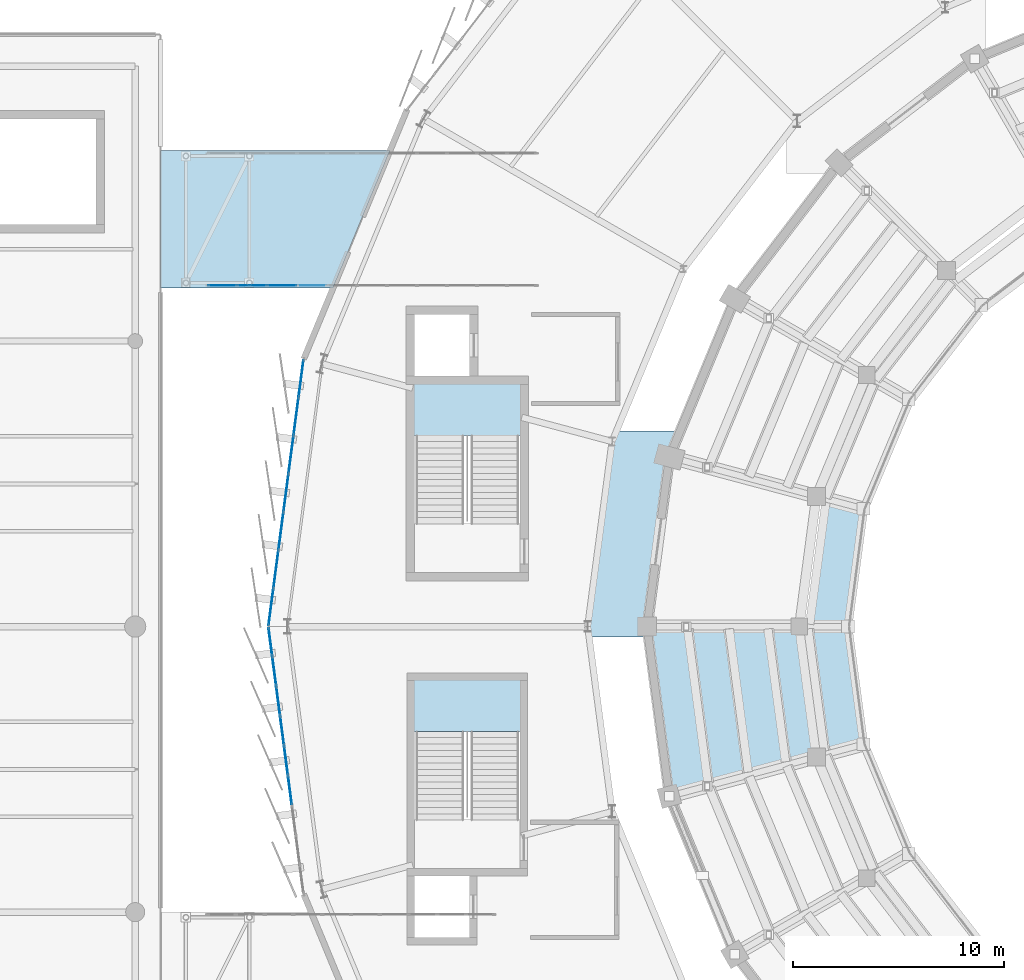
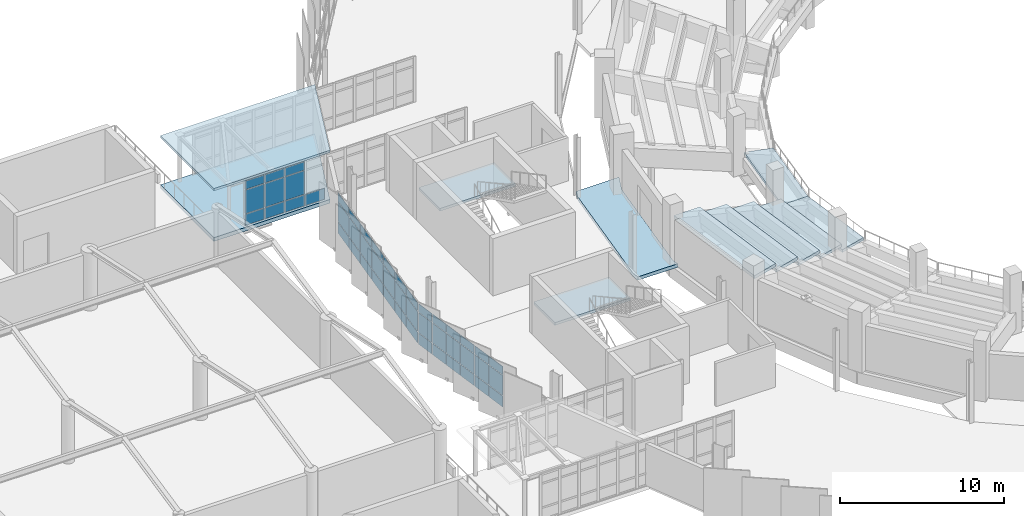
# One storey, part 82 of 120: 49 plates, 11 slabs, 5 elements without a shape of their own.
"""IFC4 building model written with IfcOpenShell, lengths in metres."""

from ifc_helpers import new_model, si_unit, direction, frame, origin, origin_2d, place, context, subcontext, project, spatial, polyline, rectangle, outline, extrude, material, layer, layer_set, type_object, element, aggregate, save


model = new_model("IFC4")

# Units and contexts
model_context = context("Model", 3, precision=1e-05, world=origin(), true_north=direction((0.0, 1.0)))
body_context = subcontext(model_context, "Body", "Model", "MODEL_VIEW")
ifc_project = project(units=[si_unit("LENGTHUNIT", "METRE"), si_unit("AREAUNIT", "SQUARE_METRE"), si_unit("VOLUMEUNIT", "CUBIC_METRE"), si_unit("PLANEANGLEUNIT", "RADIAN"), si_unit("MASSUNIT", "GRAM", prefix="KILO")], contexts=[model_context])

# Site, building, storey
site_placement = place(None, origin())
site = spatial("IfcSite", under=ifc_project, at=site_placement, CompositionType="ELEMENT")
building_placement = place(site_placement, origin())
building = spatial("IfcBuilding", under=site, at=building_placement, Name="Sohan Crest Arena", CompositionType="ELEMENT")
storey_placement = place(building_placement, frame((0.0, 0.0, 13.5)))
storey = spatial("IfcBuildingStorey", under=building, at=storey_placement, Name="L03", CompositionType="ELEMENT", Elevation=13.5)

# Curtain wall, plates
ifc_material_1 = material(Name="Thermally broken anodised aluminium", Category="aluminium")
ifc_layer_1 = layer(ifc_material_1, 0.18994140625, Name="Thermally broken anodised aluminium")
ifc_layer_set_1 = layer_set([ifc_layer_1], Name="Thermally broken anodised aluminium")
curtain_wall_type_1 = type_object("IfcCurtainWallType", Name="ARC-CW05", PredefinedType="NOTDEFINED", material=ifc_layer_set_1)
curtain_wall_1_placement = place(storey_placement, origin())
curtain_wall_1 = element("IfcCurtainWall", 1, at=curtain_wall_1_placement, inside=storey, type_object=curtain_wall_type_1, Name="Unitised curtain wall CW-237", PredefinedType="NOTDEFINED")
ifc_material_2 = material(Name="Low-E double-glazed insulated glass", Category="glass")
ifc_layer_2 = layer(ifc_material_2, 0.028076171875, Name="Low-E double-glazed insulated glass")
ifc_layer_set_2 = layer_set([ifc_layer_2], Name="Low-E double-glazed insulated glass")
plate_type_1 = type_object("IfcPlateType", Name="ARC-CNP01", PredefinedType="CURTAIN_PANEL", material=ifc_layer_set_2)
plate_1_placement = place(storey_placement, frame((46.92529296875, 94.1201171875, 0.06005859375), z_axis=(0.0, 0.0, 1.0), x_axis=(1.0, 0.0, 0.0)))
plate_1 = element("IfcPlate", 2, at=plate_1_placement, type_object=plate_type_1, Name="CW-237 panel 1.1", PredefinedType="CURTAIN_PANEL", context=body_context, shape_type="SweptSolid", body=[
    extrude(rectangle(XDim=1.32080078125, YDim=0.028076171875, at=origin_2d()), origin(), (0.0, 0.0, 1.0), 0.81005859375),
])
plate_2_placement = place(storey_placement, frame((46.92529296875, 94.1201171875, 0.93017578125), z_axis=(0.0, 0.0, 1.0), x_axis=(1.0, 0.0, 0.0)))
plate_2 = element("IfcPlate", 3, at=plate_2_placement, type_object=plate_type_1, Name="CW-237 panel 1.2", PredefinedType="CURTAIN_PANEL", context=body_context, shape_type="SweptSolid", body=[
    extrude(rectangle(XDim=1.32080078125, YDim=0.028076171875, at=origin_2d()), origin(), (0.0, 0.0, 1.0), 1.739990234375),
])
plate_3_placement = place(storey_placement, frame((46.92529296875, 94.1201171875, 2.72998046875), z_axis=(0.0, 0.0, 1.0), x_axis=(1.0, 0.0, 0.0)))
plate_3 = element("IfcPlate", 4, at=plate_3_placement, type_object=plate_type_1, Name="CW-237 panel 1.3", PredefinedType="CURTAIN_PANEL", context=body_context, shape_type="SweptSolid", body=[
    extrude(rectangle(XDim=1.32080078125, YDim=0.028076171875, at=origin_2d()), origin(), (0.0, 0.0, 1.0), 0.610107421875),
])
plate_4_placement = place(storey_placement, frame((48.327392578125, 94.1201171875, 0.06005859375), z_axis=(0.0, 0.0, 1.0), x_axis=(1.0, 0.0, 0.0)))
plate_4 = element("IfcPlate", 5, at=plate_4_placement, type_object=plate_type_1, Name="CW-237 panel 2.1", PredefinedType="CURTAIN_PANEL", context=body_context, shape_type="SweptSolid", body=[
    extrude(rectangle(XDim=1.353271484375, YDim=0.028076171875, at=origin_2d()), origin(), (0.0, 0.0, 1.0), 0.81005859375),
])
plate_5_placement = place(storey_placement, frame((48.327392578125, 94.1201171875, 0.93017578125), z_axis=(0.0, 0.0, 1.0), x_axis=(1.0, 0.0, 0.0)))
plate_5 = element("IfcPlate", 6, at=plate_5_placement, type_object=plate_type_1, Name="CW-237 panel 2.2", PredefinedType="CURTAIN_PANEL", context=body_context, shape_type="SweptSolid", body=[
    extrude(rectangle(XDim=1.353271484375, YDim=0.028076171875, at=origin_2d()), origin(), (0.0, 0.0, 1.0), 1.739990234375),
])
plate_6_placement = place(storey_placement, frame((48.327392578125, 94.1201171875, 2.72998046875), z_axis=(0.0, 0.0, 1.0), x_axis=(1.0, 0.0, 0.0)))
plate_6 = element("IfcPlate", 7, at=plate_6_placement, type_object=plate_type_1, Name="CW-237 panel 2.3", PredefinedType="CURTAIN_PANEL", context=body_context, shape_type="SweptSolid", body=[
    extrude(rectangle(XDim=1.353271484375, YDim=0.028076171875, at=origin_2d()), origin(), (0.0, 0.0, 1.0), 0.610107421875),
])
plate_7_placement = place(storey_placement, frame((49.745361328125, 94.1201171875, 0.06005859375), z_axis=(0.0, 0.0, 1.0), x_axis=(1.0, 0.0, 0.0)))
plate_7 = element("IfcPlate", 8, at=plate_7_placement, type_object=plate_type_1, Name="CW-237 panel 3.1", PredefinedType="CURTAIN_PANEL", context=body_context, shape_type="SweptSolid", body=[
    extrude(rectangle(XDim=1.353271484375, YDim=0.028076171875, at=origin_2d()), origin(), (0.0, 0.0, 1.0), 0.81005859375),
])
plate_8_placement = place(storey_placement, frame((49.745361328125, 94.1201171875, 0.93017578125), z_axis=(0.0, 0.0, 1.0), x_axis=(1.0, 0.0, 0.0)))
plate_8 = element("IfcPlate", 9, at=plate_8_placement, type_object=plate_type_1, Name="CW-237 panel 3.2", PredefinedType="CURTAIN_PANEL", context=body_context, shape_type="SweptSolid", body=[
    extrude(rectangle(XDim=1.353271484375, YDim=0.028076171875, at=origin_2d()), origin(), (0.0, 0.0, 1.0), 1.739990234375),
])
plate_9_placement = place(storey_placement, frame((49.745361328125, 94.1201171875, 2.72998046875), z_axis=(0.0, 0.0, 1.0), x_axis=(1.0, 0.0, 0.0)))
plate_9 = element("IfcPlate", 10, at=plate_9_placement, type_object=plate_type_1, Name="CW-237 panel 3.3", PredefinedType="CURTAIN_PANEL", context=body_context, shape_type="SweptSolid", body=[
    extrude(rectangle(XDim=1.353271484375, YDim=0.028076171875, at=origin_2d()), origin(), (0.0, 0.0, 1.0), 0.610107421875),
])
plate_10_placement = place(storey_placement, frame((51.16357421875, 94.1201171875, 0.06005859375), z_axis=(0.0, 0.0, 1.0), x_axis=(1.0, 0.0, 0.0)))
plate_10 = element("IfcPlate", 11, at=plate_10_placement, type_object=plate_type_1, Name="CW-237 panel 4.1", PredefinedType="CURTAIN_PANEL", context=body_context, shape_type="SweptSolid", body=[
    extrude(rectangle(XDim=1.353271484375, YDim=0.028076171875, at=origin_2d()), origin(), (0.0, 0.0, 1.0), 0.81005859375),
])
aggregate(curtain_wall_1, [plate_1, plate_2, plate_3, plate_4, plate_5, plate_6, plate_7, plate_8, plate_9, plate_10])

ifc_layer_3 = layer(ifc_material_1, 0.2099609375, Name="Thermally broken anodised aluminium")
ifc_layer_set_3 = layer_set([ifc_layer_3], Name="Thermally broken anodised aluminium")
curtain_wall_type_2 = type_object("IfcCurtainWallType", Name="ARC-CW06", PredefinedType="NOTDEFINED", material=ifc_layer_set_3)
curtain_wall_2_placement = place(storey_placement, origin())
curtain_wall_2 = element("IfcCurtainWall", 12, at=curtain_wall_2_placement, inside=storey, type_object=curtain_wall_type_2, Name="Unitised curtain wall CW-084", PredefinedType="NOTDEFINED")
ifc_layer_4 = layer(ifc_material_2, 0.031982421875, Name="Low-E double-glazed insulated glass")
ifc_layer_set_4 = layer_set([ifc_layer_4], Name="Low-E double-glazed insulated glass")
plate_type_2 = type_object("IfcPlateType", Name="ARC-CNP02", PredefinedType="CURTAIN_PANEL", material=ifc_layer_set_4)
plate_11_placement = place(storey_placement, frame((50.644775390625, 89.73583984375, 0.070068359375), z_axis=(0.0, 0.0, 1.0), x_axis=(-0.130511252817, -0.991446828069, 0.0)))
plate_11 = element("IfcPlate", 13, at=plate_11_placement, type_object=plate_type_2, Name="CW-084 panel 1.1", PredefinedType="CURTAIN_PANEL", context=body_context, shape_type="SweptSolid", body=[
    extrude(rectangle(XDim=1.72607421875, YDim=0.031982421875, at=origin_2d()), origin(), (0.0, 0.0, 1.0), 0.794921875),
])
plate_12_placement = place(storey_placement, frame((50.644775390625, 89.73583984375, 0.93505859375), z_axis=(0.0, 0.0, 1.0), x_axis=(-0.130511252817, -0.991446828069, 0.0)))
plate_12 = element("IfcPlate", 14, at=plate_12_placement, type_object=plate_type_2, Name="CW-084 panel 1.2", PredefinedType="CURTAIN_PANEL", context=body_context, shape_type="SweptSolid", body=[
    extrude(rectangle(XDim=1.72607421875, YDim=0.031982421875, at=origin_2d()), origin(), (0.0, 0.0, 1.0), 1.449951171875),
])
plate_13_placement = place(storey_placement, frame((50.644775390625, 89.73583984375, 2.455078125), z_axis=(0.0, 0.0, 1.0), x_axis=(-0.130511252817, -0.991446828069, 0.0)))
plate_13 = element("IfcPlate", 15, at=plate_13_placement, type_object=plate_type_2, Name="CW-084 panel 1.3", PredefinedType="CURTAIN_PANEL", context=body_context, shape_type="SweptSolid", body=[
    extrude(rectangle(XDim=1.72607421875, YDim=0.031982421875, at=origin_2d()), origin(), (0.0, 0.0, 1.0), 0.594970703125),
])
plate_14_placement = place(storey_placement, frame((50.408935546875, 87.944091796875, 0.070068359375), z_axis=(0.0, 0.0, 1.0), x_axis=(-0.130511252817, -0.991446828069, 0.0)))
plate_14 = element("IfcPlate", 16, at=plate_14_placement, type_object=plate_type_2, Name="CW-084 panel 2.1", PredefinedType="CURTAIN_PANEL", context=body_context, shape_type="SweptSolid", body=[
    extrude(rectangle(XDim=1.758544921875, YDim=0.031982421875, at=origin_2d()), origin(), (0.0, 0.0, 1.0), 0.794921875),
])
plate_15_placement = place(storey_placement, frame((50.408935546875, 87.944091796875, 0.93505859375), z_axis=(0.0, 0.0, 1.0), x_axis=(-0.130511252817, -0.991446828069, 0.0)))
plate_15 = element("IfcPlate", 17, at=plate_15_placement, type_object=plate_type_2, Name="CW-084 panel 2.2", PredefinedType="CURTAIN_PANEL", context=body_context, shape_type="SweptSolid", body=[
    extrude(rectangle(XDim=1.758544921875, YDim=0.031982421875, at=origin_2d()), origin(), (0.0, 0.0, 1.0), 1.449951171875),
])
plate_16_placement = place(storey_placement, frame((50.408935546875, 87.944091796875, 2.455078125), z_axis=(0.0, 0.0, 1.0), x_axis=(-0.130511252817, -0.991446828069, 0.0)))
plate_16 = element("IfcPlate", 18, at=plate_16_placement, type_object=plate_type_2, Name="CW-084 panel 2.3", PredefinedType="CURTAIN_PANEL", context=body_context, shape_type="SweptSolid", body=[
    extrude(rectangle(XDim=1.758544921875, YDim=0.031982421875, at=origin_2d()), origin(), (0.0, 0.0, 1.0), 0.594970703125),
])
plate_17_placement = place(storey_placement, frame((50.1708984375, 86.135986328125, 0.070068359375), z_axis=(0.0, 0.0, 1.0), x_axis=(-0.130511252817, -0.991446828069, 0.0)))
plate_17 = element("IfcPlate", 19, at=plate_17_placement, type_object=plate_type_2, Name="CW-084 panel 3.1", PredefinedType="CURTAIN_PANEL", context=body_context, shape_type="SweptSolid", body=[
    extrude(rectangle(XDim=1.758544921875, YDim=0.031982421875, at=origin_2d()), origin(), (0.0, 0.0, 1.0), 0.794921875),
])
plate_18_placement = place(storey_placement, frame((50.1708984375, 86.135986328125, 0.93505859375), z_axis=(0.0, 0.0, 1.0), x_axis=(-0.130511252817, -0.991446828069, 0.0)))
plate_18 = element("IfcPlate", 20, at=plate_18_placement, type_object=plate_type_2, Name="CW-084 panel 3.2", PredefinedType="CURTAIN_PANEL", context=body_context, shape_type="SweptSolid", body=[
    extrude(rectangle(XDim=1.758544921875, YDim=0.031982421875, at=origin_2d()), origin(), (0.0, 0.0, 1.0), 1.449951171875),
])
plate_19_placement = place(storey_placement, frame((50.1708984375, 86.135986328125, 2.455078125), z_axis=(0.0, 0.0, 1.0), x_axis=(-0.130511252817, -0.991446828069, 0.0)))
plate_19 = element("IfcPlate", 21, at=plate_19_placement, type_object=plate_type_2, Name="CW-084 panel 3.3", PredefinedType="CURTAIN_PANEL", context=body_context, shape_type="SweptSolid", body=[
    extrude(rectangle(XDim=1.758544921875, YDim=0.031982421875, at=origin_2d()), origin(), (0.0, 0.0, 1.0), 0.594970703125),
])
plate_20_placement = place(storey_placement, frame((49.93310546875, 84.327880859375, 0.070068359375), z_axis=(0.0, 0.0, 1.0), x_axis=(-0.130511252817, -0.991446828069, 0.0)))
plate_20 = element("IfcPlate", 22, at=plate_20_placement, type_object=plate_type_2, Name="CW-084 panel 4.1", PredefinedType="CURTAIN_PANEL", context=body_context, shape_type="SweptSolid", body=[
    extrude(rectangle(XDim=1.758544921875, YDim=0.031982421875, at=origin_2d()), origin(), (0.0, 0.0, 1.0), 0.794921875),
])
plate_21_placement = place(storey_placement, frame((49.93310546875, 84.327880859375, 0.93505859375), z_axis=(0.0, 0.0, 1.0), x_axis=(-0.130511252817, -0.991446828069, 0.0)))
plate_21 = element("IfcPlate", 23, at=plate_21_placement, type_object=plate_type_2, Name="CW-084 panel 4.2", PredefinedType="CURTAIN_PANEL", context=body_context, shape_type="SweptSolid", body=[
    extrude(rectangle(XDim=1.758544921875, YDim=0.031982421875, at=origin_2d()), origin(), (0.0, 0.0, 1.0), 1.449951171875),
])
plate_22_placement = place(storey_placement, frame((49.93310546875, 84.327880859375, 2.455078125), z_axis=(0.0, 0.0, 1.0), x_axis=(-0.130511252817, -0.991446828069, 0.0)))
plate_22 = element("IfcPlate", 24, at=plate_22_placement, type_object=plate_type_2, Name="CW-084 panel 4.3", PredefinedType="CURTAIN_PANEL", context=body_context, shape_type="SweptSolid", body=[
    extrude(rectangle(XDim=1.758544921875, YDim=0.031982421875, at=origin_2d()), origin(), (0.0, 0.0, 1.0), 0.594970703125),
])
plate_23_placement = place(storey_placement, frame((49.695068359375, 82.52001953125, 0.070068359375), z_axis=(0.0, 0.0, 1.0), x_axis=(-0.130511252817, -0.991446828069, 0.0)))
plate_23 = element("IfcPlate", 25, at=plate_23_placement, type_object=plate_type_2, Name="CW-084 panel 5.1", PredefinedType="CURTAIN_PANEL", context=body_context, shape_type="SweptSolid", body=[
    extrude(rectangle(XDim=1.758544921875, YDim=0.031982421875, at=origin_2d()), origin(), (0.0, 0.0, 1.0), 0.794921875),
])
plate_24_placement = place(storey_placement, frame((49.695068359375, 82.52001953125, 0.93505859375), z_axis=(0.0, 0.0, 1.0), x_axis=(-0.130511252817, -0.991446828069, 0.0)))
plate_24 = element("IfcPlate", 26, at=plate_24_placement, type_object=plate_type_2, Name="CW-084 panel 5.2", PredefinedType="CURTAIN_PANEL", context=body_context, shape_type="SweptSolid", body=[
    extrude(rectangle(XDim=1.758544921875, YDim=0.031982421875, at=origin_2d()), origin(), (0.0, 0.0, 1.0), 1.449951171875),
])
plate_25_placement = place(storey_placement, frame((49.695068359375, 82.52001953125, 2.455078125), z_axis=(0.0, 0.0, 1.0), x_axis=(-0.130511252817, -0.991446828069, 0.0)))
plate_25 = element("IfcPlate", 27, at=plate_25_placement, type_object=plate_type_2, Name="CW-084 panel 5.3", PredefinedType="CURTAIN_PANEL", context=body_context, shape_type="SweptSolid", body=[
    extrude(rectangle(XDim=1.758544921875, YDim=0.031982421875, at=origin_2d()), origin(), (0.0, 0.0, 1.0), 0.594970703125),
])
plate_26_placement = place(storey_placement, frame((49.45703125, 80.7119140625, 0.070068359375), z_axis=(0.0, 0.0, 1.0), x_axis=(-0.130511252817, -0.991446828069, 0.0)))
plate_26 = element("IfcPlate", 28, at=plate_26_placement, type_object=plate_type_2, Name="CW-084 panel 6.1", PredefinedType="CURTAIN_PANEL", context=body_context, shape_type="SweptSolid", body=[
    extrude(rectangle(XDim=1.758544921875, YDim=0.031982421875, at=origin_2d()), origin(), (0.0, 0.0, 1.0), 0.794921875),
])
plate_27_placement = place(storey_placement, frame((49.45703125, 80.7119140625, 0.93505859375), z_axis=(0.0, 0.0, 1.0), x_axis=(-0.130511252817, -0.991446828069, 0.0)))
plate_27 = element("IfcPlate", 29, at=plate_27_placement, type_object=plate_type_2, Name="CW-084 panel 6.2", PredefinedType="CURTAIN_PANEL", context=body_context, shape_type="SweptSolid", body=[
    extrude(rectangle(XDim=1.758544921875, YDim=0.031982421875, at=origin_2d()), origin(), (0.0, 0.0, 1.0), 1.449951171875),
])
plate_28_placement = place(storey_placement, frame((49.45703125, 80.7119140625, 2.455078125), z_axis=(0.0, 0.0, 1.0), x_axis=(-0.130511252817, -0.991446828069, 0.0)))
plate_28 = element("IfcPlate", 30, at=plate_28_placement, type_object=plate_type_2, Name="CW-084 panel 6.3", PredefinedType="CURTAIN_PANEL", context=body_context, shape_type="SweptSolid", body=[
    extrude(rectangle(XDim=1.758544921875, YDim=0.031982421875, at=origin_2d()), origin(), (0.0, 0.0, 1.0), 0.594970703125),
])
plate_29_placement = place(storey_placement, frame((49.22119140625, 78.920166015625, 0.070068359375), z_axis=(0.0, 0.0, 1.0), x_axis=(-0.130511252817, -0.991446828069, 0.0)))
plate_29 = element("IfcPlate", 31, at=plate_29_placement, type_object=plate_type_2, Name="CW-084 panel 7.1", PredefinedType="CURTAIN_PANEL", context=body_context, shape_type="SweptSolid", body=[
    extrude(rectangle(XDim=1.72607421875, YDim=0.031982421875, at=origin_2d()), origin(), (0.0, 0.0, 1.0), 0.794921875),
])
plate_30_placement = place(storey_placement, frame((49.22119140625, 78.920166015625, 0.93505859375), z_axis=(0.0, 0.0, 1.0), x_axis=(-0.130511252817, -0.991446828069, 0.0)))
plate_30 = element("IfcPlate", 32, at=plate_30_placement, type_object=plate_type_2, Name="CW-084 panel 7.2", PredefinedType="CURTAIN_PANEL", context=body_context, shape_type="SweptSolid", body=[
    extrude(rectangle(XDim=1.72607421875, YDim=0.031982421875, at=origin_2d()), origin(), (0.0, 0.0, 1.0), 1.449951171875),
])
plate_31_placement = place(storey_placement, frame((49.22119140625, 78.920166015625, 2.455078125), z_axis=(0.0, 0.0, 1.0), x_axis=(-0.130511252817, -0.991446828069, 0.0)))
plate_31 = element("IfcPlate", 33, at=plate_31_placement, type_object=plate_type_2, Name="CW-084 panel 7.3", PredefinedType="CURTAIN_PANEL", context=body_context, shape_type="SweptSolid", body=[
    extrude(rectangle(XDim=1.72607421875, YDim=0.031982421875, at=origin_2d()), origin(), (0.0, 0.0, 1.0), 0.594970703125),
])
aggregate(curtain_wall_2, [plate_11, plate_12, plate_13, plate_14, plate_15, plate_16, plate_17, plate_18, plate_19, plate_20, plate_21, plate_22, plate_23, plate_24, plate_25, plate_26, plate_27, plate_28, plate_29, plate_30, plate_31])

ifc_layer_5 = layer(ifc_material_1, 0.179931640625, Name="Thermally broken anodised aluminium")
ifc_layer_set_5 = layer_set([ifc_layer_5], Name="Thermally broken anodised aluminium")
curtain_wall_type_3 = type_object("IfcCurtainWallType", Name="ARC-CW01", PredefinedType="NOTDEFINED", material=ifc_layer_set_5)
curtain_wall_3_placement = place(storey_placement, origin())
curtain_wall_3 = element("IfcCurtainWall", 34, at=curtain_wall_3_placement, inside=storey, type_object=curtain_wall_type_3, Name="Unitised curtain wall CW-085", PredefinedType="NOTDEFINED")
ifc_material_3 = material(Name="Ceramic-fritted solar-control insulated glass", Category="glass")
ifc_layer_6 = layer(ifc_material_3, 0.035888671875, Name="Ceramic-fritted solar-control insulated glass")
ifc_layer_set_6 = layer_set([ifc_layer_6], Name="Ceramic-fritted solar-control insulated glass")
plate_type_3 = type_object("IfcPlateType", Name="ARC-CNP03", PredefinedType="CURTAIN_PANEL", material=ifc_layer_set_6)
plate_32_placement = place(storey_placement, frame((49.19482421875, 77.279541015625, 0.06005859375), z_axis=(0.0, 0.0, 1.0), x_axis=(0.130511252817, -0.991446828069, 0.0)))
plate_32 = element("IfcPlate", 35, at=plate_32_placement, type_object=plate_type_3, Name="CW-085 panel 1.1", PredefinedType="CURTAIN_PANEL", context=body_context, shape_type="SweptSolid", body=[
    extrude(rectangle(XDim=1.313232421875, YDim=0.035888671875, at=origin_2d()), origin(), (0.0, 0.0, 1.0), 0.81005859375),
])
plate_33_placement = place(storey_placement, frame((49.19482421875, 77.279541015625, 0.929931640625), z_axis=(0.0, 0.0, 1.0), x_axis=(0.130511252817, -0.991446828069, 0.0)))
plate_33 = element("IfcPlate", 36, at=plate_33_placement, type_object=plate_type_3, Name="CW-085 panel 1.2", PredefinedType="CURTAIN_PANEL", context=body_context, shape_type="SweptSolid", body=[
    extrude(rectangle(XDim=1.313232421875, YDim=0.035888671875, at=origin_2d()), origin(), (0.0, 0.0, 1.0), 1.4599609375),
])
plate_34_placement = place(storey_placement, frame((49.19482421875, 77.279541015625, 2.44970703125), z_axis=(0.0, 0.0, 1.0), x_axis=(0.130511252817, -0.991446828069, 0.0)))
plate_34 = element("IfcPlate", 37, at=plate_34_placement, type_object=plate_type_3, Name="CW-085 panel 1.3", PredefinedType="CURTAIN_PANEL", context=body_context, shape_type="SweptSolid", body=[
    extrude(rectangle(XDim=1.313232421875, YDim=0.035888671875, at=origin_2d()), origin(), (0.0, 0.0, 1.0), 0.610107421875),
])
plate_35_placement = place(storey_placement, frame((49.377685546875, 75.890625, 0.06005859375), z_axis=(0.0, 0.0, 1.0), x_axis=(0.130511252817, -0.991446828069, 0.0)))
plate_35 = element("IfcPlate", 38, at=plate_35_placement, type_object=plate_type_3, Name="CW-085 panel 2.1", PredefinedType="CURTAIN_PANEL", context=body_context, shape_type="SweptSolid", body=[
    extrude(rectangle(XDim=1.348388671875, YDim=0.035888671875, at=origin_2d()), origin(), (0.0, 0.0, 1.0), 0.81005859375),
])
plate_36_placement = place(storey_placement, frame((49.377685546875, 75.890625, 0.929931640625), z_axis=(0.0, 0.0, 1.0), x_axis=(0.130511252817, -0.991446828069, 0.0)))
plate_36 = element("IfcPlate", 39, at=plate_36_placement, type_object=plate_type_3, Name="CW-085 panel 2.2", PredefinedType="CURTAIN_PANEL", context=body_context, shape_type="SweptSolid", body=[
    extrude(rectangle(XDim=1.348388671875, YDim=0.035888671875, at=origin_2d()), origin(), (0.0, 0.0, 1.0), 1.4599609375),
])
plate_37_placement = place(storey_placement, frame((49.377685546875, 75.890625, 2.44970703125), z_axis=(0.0, 0.0, 1.0), x_axis=(0.130511252817, -0.991446828069, 0.0)))
plate_37 = element("IfcPlate", 40, at=plate_37_placement, type_object=plate_type_3, Name="CW-085 panel 2.3", PredefinedType="CURTAIN_PANEL", context=body_context, shape_type="SweptSolid", body=[
    extrude(rectangle(XDim=1.348388671875, YDim=0.035888671875, at=origin_2d()), origin(), (0.0, 0.0, 1.0), 0.610107421875),
])
plate_38_placement = place(storey_placement, frame((49.562744140625, 74.484375, 0.06005859375), z_axis=(0.0, 0.0, 1.0), x_axis=(0.130511252817, -0.991446828069, 0.0)))
plate_38 = element("IfcPlate", 41, at=plate_38_placement, type_object=plate_type_3, Name="CW-085 panel 3.1", PredefinedType="CURTAIN_PANEL", context=body_context, shape_type="SweptSolid", body=[
    extrude(rectangle(XDim=1.348388671875, YDim=0.035888671875, at=origin_2d()), origin(), (0.0, 0.0, 1.0), 0.81005859375),
])
plate_39_placement = place(storey_placement, frame((49.562744140625, 74.484375, 0.929931640625), z_axis=(0.0, 0.0, 1.0), x_axis=(0.130511252817, -0.991446828069, 0.0)))
plate_39 = element("IfcPlate", 42, at=plate_39_placement, type_object=plate_type_3, Name="CW-085 panel 3.2", PredefinedType="CURTAIN_PANEL", context=body_context, shape_type="SweptSolid", body=[
    extrude(rectangle(XDim=1.348388671875, YDim=0.035888671875, at=origin_2d()), origin(), (0.0, 0.0, 1.0), 1.4599609375),
])
plate_40_placement = place(storey_placement, frame((49.562744140625, 74.484375, 2.44970703125), z_axis=(0.0, 0.0, 1.0), x_axis=(0.130511252817, -0.991446828069, 0.0)))
plate_40 = element("IfcPlate", 43, at=plate_40_placement, type_object=plate_type_3, Name="CW-085 panel 3.3", PredefinedType="CURTAIN_PANEL", context=body_context, shape_type="SweptSolid", body=[
    extrude(rectangle(XDim=1.348388671875, YDim=0.035888671875, at=origin_2d()), origin(), (0.0, 0.0, 1.0), 0.610107421875),
])
plate_41_placement = place(storey_placement, frame((49.747802734375, 73.078125, 0.06005859375), z_axis=(0.0, 0.0, 1.0), x_axis=(0.130511252817, -0.991446828069, 0.0)))
plate_41 = element("IfcPlate", 44, at=plate_41_placement, type_object=plate_type_3, Name="CW-085 panel 4.1", PredefinedType="CURTAIN_PANEL", context=body_context, shape_type="SweptSolid", body=[
    extrude(rectangle(XDim=1.348388671875, YDim=0.035888671875, at=origin_2d()), origin(), (0.0, 0.0, 1.0), 0.81005859375),
])
plate_42_placement = place(storey_placement, frame((49.747802734375, 73.078125, 0.929931640625), z_axis=(0.0, 0.0, 1.0), x_axis=(0.130511252817, -0.991446828069, 0.0)))
plate_42 = element("IfcPlate", 45, at=plate_42_placement, type_object=plate_type_3, Name="CW-085 panel 4.2", PredefinedType="CURTAIN_PANEL", context=body_context, shape_type="SweptSolid", body=[
    extrude(rectangle(XDim=1.348388671875, YDim=0.035888671875, at=origin_2d()), origin(), (0.0, 0.0, 1.0), 1.4599609375),
])
plate_43_placement = place(storey_placement, frame((49.747802734375, 73.078125, 2.44970703125), z_axis=(0.0, 0.0, 1.0), x_axis=(0.130511252817, -0.991446828069, 0.0)))
plate_43 = element("IfcPlate", 46, at=plate_43_placement, type_object=plate_type_3, Name="CW-085 panel 4.3", PredefinedType="CURTAIN_PANEL", context=body_context, shape_type="SweptSolid", body=[
    extrude(rectangle(XDim=1.348388671875, YDim=0.035888671875, at=origin_2d()), origin(), (0.0, 0.0, 1.0), 0.610107421875),
])
plate_44_placement = place(storey_placement, frame((49.93310546875, 71.672119140625, 0.06005859375), z_axis=(0.0, 0.0, 1.0), x_axis=(0.130511252817, -0.991446828069, 0.0)))
plate_44 = element("IfcPlate", 47, at=plate_44_placement, type_object=plate_type_3, Name="CW-085 panel 5.1", PredefinedType="CURTAIN_PANEL", context=body_context, shape_type="SweptSolid", body=[
    extrude(rectangle(XDim=1.348388671875, YDim=0.035888671875, at=origin_2d()), origin(), (0.0, 0.0, 1.0), 0.81005859375),
])
plate_45_placement = place(storey_placement, frame((49.93310546875, 71.672119140625, 0.929931640625), z_axis=(0.0, 0.0, 1.0), x_axis=(0.130511252817, -0.991446828069, 0.0)))
plate_45 = element("IfcPlate", 48, at=plate_45_placement, type_object=plate_type_3, Name="CW-085 panel 5.2", PredefinedType="CURTAIN_PANEL", context=body_context, shape_type="SweptSolid", body=[
    extrude(rectangle(XDim=1.348388671875, YDim=0.035888671875, at=origin_2d()), origin(), (0.0, 0.0, 1.0), 1.4599609375),
])
plate_46_placement = place(storey_placement, frame((49.93310546875, 71.672119140625, 2.44970703125), z_axis=(0.0, 0.0, 1.0), x_axis=(0.130511252817, -0.991446828069, 0.0)))
plate_46 = element("IfcPlate", 49, at=plate_46_placement, type_object=plate_type_3, Name="CW-085 panel 5.3", PredefinedType="CURTAIN_PANEL", context=body_context, shape_type="SweptSolid", body=[
    extrude(rectangle(XDim=1.348388671875, YDim=0.035888671875, at=origin_2d()), origin(), (0.0, 0.0, 1.0), 0.610107421875),
])
plate_47_placement = place(storey_placement, frame((50.1181640625, 70.265869140625, 0.06005859375), z_axis=(0.0, 0.0, 1.0), x_axis=(0.130511252817, -0.991446828069, 0.0)))
plate_47 = element("IfcPlate", 50, at=plate_47_placement, type_object=plate_type_3, Name="CW-085 panel 6.1", PredefinedType="CURTAIN_PANEL", context=body_context, shape_type="SweptSolid", body=[
    extrude(rectangle(XDim=1.348388671875, YDim=0.035888671875, at=origin_2d()), origin(), (0.0, 0.0, 1.0), 0.81005859375),
])
plate_48_placement = place(storey_placement, frame((50.1181640625, 70.265869140625, 0.929931640625), z_axis=(0.0, 0.0, 1.0), x_axis=(0.130511252817, -0.991446828069, 0.0)))
plate_48 = element("IfcPlate", 51, at=plate_48_placement, type_object=plate_type_3, Name="CW-085 panel 6.2", PredefinedType="CURTAIN_PANEL", context=body_context, shape_type="SweptSolid", body=[
    extrude(rectangle(XDim=1.348388671875, YDim=0.035888671875, at=origin_2d()), origin(), (0.0, 0.0, 1.0), 1.4599609375),
])
plate_49_placement = place(storey_placement, frame((50.1181640625, 70.265869140625, 2.44970703125), z_axis=(0.0, 0.0, 1.0), x_axis=(0.130511252817, -0.991446828069, 0.0)))
plate_49 = element("IfcPlate", 52, at=plate_49_placement, type_object=plate_type_3, Name="CW-085 panel 6.3", PredefinedType="CURTAIN_PANEL", context=body_context, shape_type="SweptSolid", body=[
    extrude(rectangle(XDim=1.348388671875, YDim=0.035888671875, at=origin_2d()), origin(), (0.0, 0.0, 1.0), 0.610107421875),
])
aggregate(curtain_wall_3, [plate_32, plate_33, plate_34, plate_35, plate_36, plate_37, plate_38, plate_39, plate_40, plate_41, plate_42, plate_43, plate_44, plate_45, plate_46, plate_47, plate_48, plate_49])

# Slabs
ifc_material_4 = material(Name="Concrete C40/50", Category="concrete")
ifc_layer_7 = layer(ifc_material_4, 0.25, Name="Concrete C40/50")
ifc_layer_set_7 = layer_set([ifc_layer_7], Name="Concrete C40/50")
slab_type_1 = type_object("IfcSlabType", Name="SL-FLR3", PredefinedType="FLOOR", material=ifc_layer_set_7)
slab_1_placement = place(storey_placement, frame((0.0, 0.0, -0.25)))
element("IfcSlab", 53, at=slab_1_placement, inside=storey, type_object=slab_type_1, Name="Seismic joint threshold slab L03 SL-TH-L03-05", PredefinedType="FLOOR", context=body_context, shape_type="SweptSolid", body=[
    extrude(outline(polyline([(64.199951171875, 78.0), (65.35205078125, 86.748046875), (65.55908203125, 87.248046875), (68.555908203125, 87.248046875), (68.555908203125, 87.22998046875), (68.055908203125, 86.02294921875), (67.0, 78.0), (67.06591796875, 77.5), (64.26611328125, 77.5), (64.199951171875, 78.0)])), origin(), (0.0, 0.0, 1.0), 0.25),
])
ifc_layer_8 = layer(ifc_material_4, 0.27490234375, Name="Concrete C40/50")
ifc_layer_set_8 = layer_set([ifc_layer_8], Name="Concrete C40/50")
slab_type_2 = type_object("IfcSlabType", Name="SL-FLR4", PredefinedType="FLOOR", material=ifc_layer_set_8)
slab_2_placement = place(storey_placement, frame((0.0, 0.0, -0.27490234375)))
element("IfcSlab", 54, at=slab_2_placement, inside=storey, type_object=slab_type_2, Name="Covered bridge BR-W2 L03 deck SL-BR-W2-L03", PredefinedType="FLOOR", context=body_context, shape_type="SweptSolid", body=[
    extrude(outline(polyline([(54.843017578125, 100.5), (52.15087890625, 94.0), (44.0, 94.0), (44.0, 100.5), (54.843017578125, 100.5)])), origin(), (0.0, 0.0, 1.0), 0.27490234375),
])

# Stair, slab
stair_type = type_object("IfcStairType", Name="ST-450", PredefinedType="TWO_STRAIGHT_RUN_STAIR", material=ifc_material_4)
stair_1_placement = place(storey_placement, origin())
stair_1 = element("IfcStair", 55, at=stair_1_placement, inside=storey, type_object=stair_type, Name="Protected exit stair ST01-L03", PredefinedType="TWO_STRAIGHT_RUN_STAIR")
ifc_layer_9 = layer(ifc_material_4, 0.199951171875, Name="Concrete C40/50")
ifc_layer_set_9 = layer_set([ifc_layer_9], Name="Concrete C40/50")
slab_type_3 = type_object("IfcSlabType", Name="SL-LND1", PredefinedType="LANDING", material=ifc_layer_set_9)
slab_3_placement = place(storey_placement, frame((0.0, 0.0, 2.050048828125)))
slab_3 = element("IfcSlab", 56, at=slab_3_placement, type_object=slab_type_3, Name="ST01-L03 landing 1", PredefinedType="LANDING", context=body_context, shape_type="SweptSolid", body=[
    extrude(outline(polyline([(55.85009765625, 73.030029296875), (61.14990234375, 73.030029296875), (61.14990234375, 75.60009765625), (55.85009765625, 75.60009765625), (55.85009765625, 73.030029296875)])), origin(), (0.0, 0.0, 1.0), 0.199951171875),
])
aggregate(stair_1, [slab_3])

stair_2_placement = place(storey_placement, origin())
stair_2 = element("IfcStair", 57, at=stair_2_placement, inside=storey, type_object=stair_type, Name="Protected exit stair ST02-L03", PredefinedType="TWO_STRAIGHT_RUN_STAIR")
slab_4_placement = place(storey_placement, frame((0.0, 0.0, 2.050048828125)))
slab_4 = element("IfcSlab", 58, at=slab_4_placement, type_object=slab_type_3, Name="ST02-L03 landing 1", PredefinedType="LANDING", context=body_context, shape_type="SweptSolid", body=[
    extrude(outline(polyline([(55.85009765625, 87.030029296875), (61.14990234375, 87.030029296875), (61.14990234375, 89.60009765625), (55.85009765625, 89.60009765625), (55.85009765625, 87.030029296875)])), origin(), (0.0, 0.0, 1.0), 0.199951171875),
])
aggregate(stair_2, [slab_4])

# Slabs
ifc_layer_10 = layer(ifc_material_4, 0.175048828125, Name="Concrete C40/50")
ifc_layer_set_10 = layer_set([ifc_layer_10], Name="Concrete C40/50")
slab_type_4 = type_object("IfcSlabType", Name="SL-RF01", PredefinedType="ROOF", material=ifc_layer_set_10)
slab_5_placement = place(storey_placement, frame((0.0, 0.0, 3.47509765625)))
element("IfcSlab", 59, at=slab_5_placement, inside=storey, type_object=slab_type_4, Name="Covered bridge BR-W2 roof RF-BR-W2", PredefinedType="ROOF", context=body_context, shape_type="SweptSolid", body=[
    extrude(outline(polyline([(54.843017578125, 100.5), (52.15087890625, 94.0), (44.0, 94.0), (44.0, 100.5), (54.843017578125, 100.5)])), origin(), (0.0, 0.0, 1.0), 0.1748046875),
])
ifc_material_5 = material(Name="Precast concrete C50/60", Category="concrete")
ifc_layer_11 = layer(ifc_material_5, 0.205078125, Name="Precast concrete C50/60")
ifc_layer_set_11 = layer_set([ifc_layer_11], Name="Precast concrete C50/60")
slab_type_5 = type_object("IfcSlabType", Name="SL-TIER2", PredefinedType="USERDEFINED", material=ifc_layer_set_11)
slab_6_placement = place(storey_placement, frame((0.0, 0.0, 1.2109375)))
element("IfcSlab", 60, at=slab_6_placement, inside=storey, type_object=slab_type_5, Name="Upper cantilevered precast seating tier ST-UPP-048", ObjectType="SEATING TIER", PredefinedType="USERDEFINED", context=body_context, shape_type="SweptSolid", body=[
    extrude(outline(polyline([(77.23291015625, 83.487060546875), (76.5, 78.0), (74.676025390625, 78.0), (75.470947265625, 83.97412109375), (77.23291015625, 83.487060546875)])), origin(), (0.0, 0.0, 1.0), 0.205078125),
])
slab_7_placement = place(storey_placement, frame((0.0, 0.0, 1.2109375)))
element("IfcSlab", 61, at=slab_7_placement, inside=storey, type_object=slab_type_5, Name="Upper cantilevered precast seating tier ST-UPP-054", ObjectType="SEATING TIER", PredefinedType="USERDEFINED", context=body_context, shape_type="SweptSolid", body=[
    extrude(outline(polyline([(76.5, 78.0), (77.23291015625, 72.512939453125), (75.470947265625, 72.02587890625), (74.676025390625, 78.0), (76.5, 78.0)])), origin(), (0.0, 0.0, 1.0), 0.205078125),
])
slab_8_placement = place(storey_placement, frame((0.0, 0.0, 1.6708984375)))
element("IfcSlab", 62, at=slab_8_placement, inside=storey, type_object=slab_type_5, Name="Upper cantilevered precast seating tier ST-UPP-055", ObjectType="SEATING TIER", PredefinedType="USERDEFINED", context=body_context, shape_type="SweptSolid", body=[
    extrude(outline(polyline([(74.60009765625, 78.0), (75.39697265625, 72.006103515625), (73.635009765625, 71.51904296875), (72.77587890625, 78.0), (74.60009765625, 78.0)])), origin(), (0.0, 0.0, 1.0), 0.205078125),
])
ifc_layer_12 = layer(ifc_material_5, 0.235107421875, Name="Precast concrete C50/60")
ifc_layer_set_12 = layer_set([ifc_layer_12], Name="Precast concrete C50/60")
slab_type_6 = type_object("IfcSlabType", Name="SL-TIER3", PredefinedType="USERDEFINED", material=ifc_layer_set_12)
slab_9_placement = place(storey_placement, frame((0.0, 0.0, 2.131103515625)))
element("IfcSlab", 63, at=slab_9_placement, inside=storey, type_object=slab_type_6, Name="Upper cantilevered precast seating tier ST-UPP-056", ObjectType="SEATING TIER", PredefinedType="USERDEFINED", context=body_context, shape_type="SweptSolid", body=[
    extrude(outline(polyline([(72.699951171875, 78.0), (73.56201171875, 71.4990234375), (71.800048828125, 71.011962890625), (70.8759765625, 78.0), (72.699951171875, 78.0)])), origin(), (0.0, 0.0, 1.0), 0.23486328125),
])
slab_10_placement = place(storey_placement, frame((0.0, 0.0, 2.591064453125)))
element("IfcSlab", 64, at=slab_10_placement, inside=storey, type_object=slab_type_6, Name="Upper cantilevered precast seating tier ST-UPP-057", ObjectType="SEATING TIER", PredefinedType="USERDEFINED", context=body_context, shape_type="SweptSolid", body=[
    extrude(outline(polyline([(70.800048828125, 78.0), (71.72705078125, 70.990966796875), (69.965087890625, 70.50390625), (68.97607421875, 78.0), (70.800048828125, 78.0)])), origin(), (0.0, 0.0, 1.0), 0.23486328125),
])
slab_11_placement = place(storey_placement, frame((0.0, 0.0, 3.051025390625)))
element("IfcSlab", 65, at=slab_11_placement, inside=storey, type_object=slab_type_6, Name="Upper cantilevered precast seating tier ST-UPP-058", ObjectType="SEATING TIER", PredefinedType="USERDEFINED", context=body_context, shape_type="SweptSolid", body=[
    extrude(outline(polyline([(68.89990234375, 78.0), (69.89111328125, 70.48388671875), (68.12890625, 69.9970703125), (67.075927734375, 78.0), (68.89990234375, 78.0)])), origin(), (0.0, 0.0, 1.0), 0.23486328125),
])

save(model, "model.ifc")
